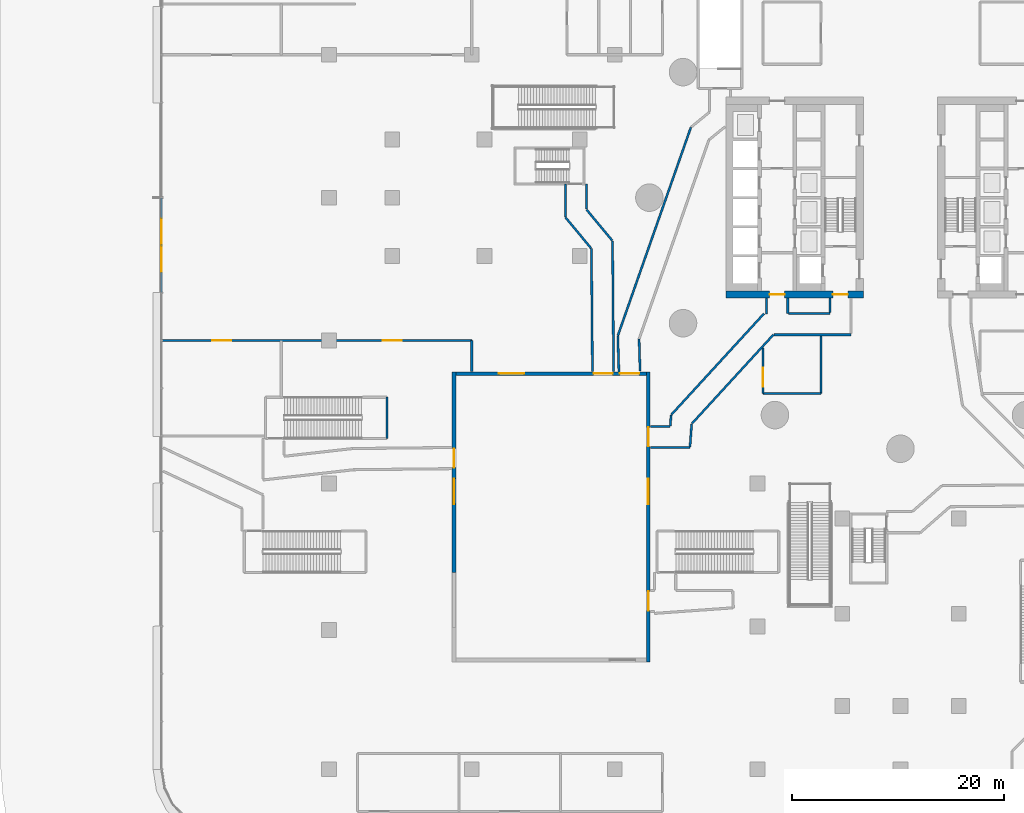
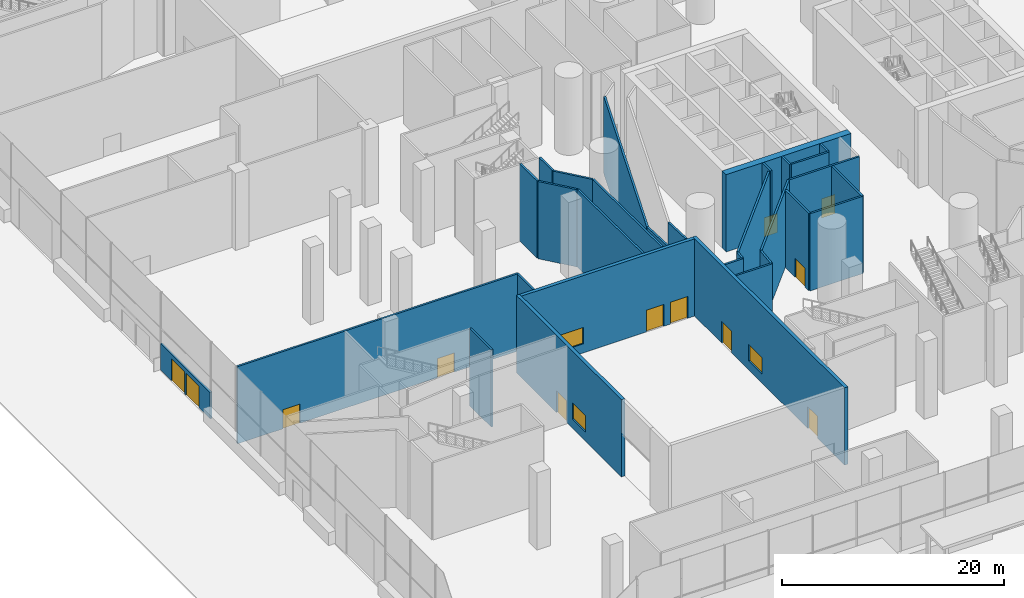
# One storey, part 22 of 54: 31 walls, 12 doors, 3 windows, 15 openings.
"""IFC4 building model written with IfcOpenShell, lengths in metres."""

from ifc_helpers import new_model, si_unit, direction, frame, frame_2d, origin, place, context, subcontext, project, spatial, rectangle, extrude, material, layer, layer_set, type_object, element, fill, save


model = new_model("IFC4")

# Units and contexts
model_context = context("Model", 3, precision=1e-05, world=origin(), true_north=direction((0.0, 1.0)))
body_context = subcontext(model_context, "Body", "Model", "MODEL_VIEW")
ifc_project = project(units=[si_unit("LENGTHUNIT", "METRE"), si_unit("AREAUNIT", "SQUARE_METRE"), si_unit("VOLUMEUNIT", "CUBIC_METRE"), si_unit("PLANEANGLEUNIT", "RADIAN"), si_unit("MASSUNIT", "GRAM", prefix="KILO")], contexts=[model_context])

# Site, building, storey
site_placement = place(None, origin())
site = spatial("IfcSite", under=ifc_project, at=site_placement, CompositionType="ELEMENT")
building_placement = place(site_placement, origin())
building = spatial("IfcBuilding", under=site, at=building_placement, Name="Tamarind Cross Interchange Tower", CompositionType="ELEMENT")
storey_placement = place(building_placement, origin())
storey = spatial("IfcBuildingStorey", under=building, at=storey_placement, Name="L00", CompositionType="ELEMENT", Elevation=0.0)

# Wall, openings, doors
ifc_material_1 = material(Name="Concrete C80", Category="concrete")
ifc_layer_1 = layer(ifc_material_1, 0.699951171875)
ifc_layer_set_1 = layer_set([ifc_layer_1], Name="Concrete C80")
wall_type_1 = type_object("IfcWallType", Name="Core wall 700 mm Concrete C80", PredefinedType="SHEAR", material=ifc_layer_set_1)
wall_1_placement = place(storey_placement, frame((-16.5, -9.14990234375, 0.0), z_axis=(0.0, 0.0, 1.0), x_axis=(1.0, 0.0, 0.0)))
wall_1 = element("IfcWall", 1, at=wall_1_placement, inside=storey, type_object=wall_type_1, Name="Core wall CWL-L00-W-S", PredefinedType="SHEAR", context=body_context, shape_type="SweptSolid", body=[
    extrude(rectangle(XDim=13.0, YDim=0.699951171875, at=frame_2d((6.5, 0.0))), origin(), (0.0, 0.0, 1.0), 8.5),
])
opening_1_placement = place(wall_1_placement, frame((4.14990234375, 0.0, 0.0)))
opening_1 = element("IfcOpeningElement", 2, at=opening_1_placement, cuts=wall_1, Name="Opening DCW1", PredefinedType="OPENING", context=body_context, shape_type="SweptSolid", body=[
    extrude(rectangle(XDim=1.39990234375, YDim=2.10009765625, at=frame_2d((0.699951171875, 1.050048828125))), frame((0.0, 0.35986328125, 0.0), z_axis=(0.0, -1.0, 0.0), x_axis=(1.0, 0.0, 0.0)), (0.0, 0.0, 1.0), 0.719970703125),
])
opening_2_placement = place(wall_1_placement, frame((10.125, 0.0, 0.0)))
opening_2 = element("IfcOpeningElement", 3, at=opening_2_placement, cuts=wall_1, Name="Opening DCWF", PredefinedType="OPENING", context=body_context, shape_type="SweptSolid", body=[
    extrude(rectangle(XDim=1.39990234375, YDim=2.10009765625, at=frame_2d((0.699951171875, 1.050048828125))), frame((0.0, 0.35986328125, 0.0), z_axis=(0.0, -1.0, 0.0), x_axis=(1.0, 0.0, 0.0)), (0.0, 0.0, 1.0), 0.719970703125),
])
ifc_material_2 = material(Name="Steel, fire-resisting", Category="steel")
door_type_1 = type_object("IfcDoorType", Name="Core fire door 1400 x 2100 FD90", OperationType="SINGLE_SWING_LEFT", PredefinedType="DOOR", material=ifc_material_2)
door_1_placement = place(opening_1_placement, origin())
door_1 = element("IfcDoor", 4, at=door_1_placement, inside=storey, type_object=door_type_1, Name="L00 lift lobby door", OperationType="SINGLE_SWING_LEFT", OverallHeight=2.10009765625, OverallWidth=1.39990234375, PredefinedType="DOOR", context=body_context, shape_type="SweptSolid", body=[
    extrude(rectangle(XDim=1.39990234375, YDim=2.10009765625, at=frame_2d((0.699951171875, 1.050048828125))), frame((0.0, 0.02490234375, 0.0), z_axis=(0.0, -1.0, 0.0), x_axis=(1.0, 0.0, 0.0)), (0.0, 0.0, 1.0), 0.050048828125),
])
fill(opening_1, door_1)
door_2_placement = place(opening_2_placement, origin())
door_2 = element("IfcDoor", 5, at=door_2_placement, inside=storey, type_object=door_type_1, Name="L00 firefighting lobby end door", OperationType="SINGLE_SWING_LEFT", OverallHeight=2.10009765625, OverallWidth=1.39990234375, PredefinedType="DOOR", context=body_context, shape_type="SweptSolid", body=[
    extrude(rectangle(XDim=1.39990234375, YDim=2.10009765625, at=frame_2d((0.699951171875, 1.050048828125))), frame((0.0, 0.02490234375, 0.0), z_axis=(0.0, -1.0, 0.0), x_axis=(1.0, 0.0, 0.0)), (0.0, 0.0, 1.0), 0.050048828125),
])
fill(opening_2, door_2)

# Wall, openings, door, window
ifc_material_3 = material(Name="Precast concrete C40", Category="concrete")
ifc_layer_2 = layer(ifc_material_3, 0.35009765625)
ifc_layer_set_2 = layer_set([ifc_layer_2], Name="Precast concrete C40")
wall_type_2 = type_object("IfcWallType", Name="Court portal pier wall", PredefinedType="SOLIDWALL", material=ifc_layer_set_2)
wall_2_placement = place(storey_placement, frame((-42.175048828125, -35.39990234375, 0.0), z_axis=(0.0, 0.0, 1.0), x_axis=(0.0, 1.0, 0.0)))
wall_2 = element("IfcWall", 6, at=wall_2_placement, inside=storey, type_object=wall_type_2, Name="CTW-L00-SWW01", PredefinedType="SOLIDWALL", context=body_context, shape_type="SweptSolid", body=[
    extrude(rectangle(XDim=18.949951171875, YDim=0.35009765625, at=frame_2d((9.47509765625, 0.0))), origin(), (0.0, 0.0, 1.0), 8.5),
])
opening_3_placement = place(wall_2_placement, frame((9.89990234375, 0.0, 0.0)))
opening_3 = element("IfcOpeningElement", 7, at=opening_3_placement, cuts=wall_2, Name="Opening D7", PredefinedType="OPENING", context=body_context, shape_type="SweptSolid", body=[
    extrude(rectangle(XDim=1.800048828125, YDim=2.39990234375, at=frame_2d((0.89990234375, 1.199951171875))), frame((0.0, 0.18505859375, 0.0), z_axis=(0.0, -1.0, 0.0), x_axis=(1.0, 0.0, 0.0)), (0.0, 0.0, 1.0), 0.3701171875),
])
opening_4_placement = place(wall_2_placement, frame((6.449951171875, 0.0, 1.0)))
opening_4 = element("IfcOpeningElement", 8, at=opening_4_placement, cuts=wall_2, Name="Opening W4", PredefinedType="OPENING", context=body_context, shape_type="SweptSolid", body=[
    extrude(rectangle(XDim=2.39990234375, YDim=1.800048828125, at=frame_2d((1.199951171875, 0.89990234375))), frame((0.0, 0.18505859375, 0.0), z_axis=(0.0, -1.0, 0.0), x_axis=(1.0, 0.0, 0.0)), (0.0, 0.0, 1.0), 0.3701171875),
])
ifc_material_4 = material(Name="Steel FD90", Category="steel")
door_type_2 = type_object("IfcDoorType", Name="Exit passage door", OperationType="DOUBLE_DOOR_SINGLE_SWING", PredefinedType="DOOR", material=ifc_material_4)
door_3_placement = place(opening_3_placement, frame((1.800048828125, 0.0, 0.0), z_axis=(0.0, 0.0, 1.0), x_axis=(-1.0, 0.0, 0.0)))
door_3 = element("IfcDoor", 9, at=door_3_placement, inside=storey, type_object=door_type_2, Name="Exit stair XS-P08 door to the SW fire court", OperationType="SINGLE_SWING_LEFT", OverallHeight=2.39990234375, OverallWidth=1.800048828125, PredefinedType="DOOR", context=body_context, shape_type="SweptSolid", body=[
    extrude(rectangle(XDim=1.800048828125, YDim=2.39990234375, at=frame_2d((0.89990234375, 1.199951171875))), frame((0.0, 0.02490234375, 0.0), z_axis=(0.0, -1.0, 0.0), x_axis=(1.0, 0.0, 0.0)), (0.0, 0.0, 1.0), 0.050048828125),
])
fill(opening_3, door_3)
ifc_material_5 = material(Name="Aluminium and toughened glass", Category="aluminium")
window_type = type_object("IfcWindowType", Name="Podium daylight window", PartitioningType="SINGLE_PANEL", PredefinedType="WINDOW", material=ifc_material_5)
window_1_placement = place(opening_4_placement, origin())
window_1 = element("IfcWindow", 10, at=window_1_placement, inside=storey, type_object=window_type, Name="CTX-L00-SWW-01-01", OverallHeight=1.800048828125, OverallWidth=2.39990234375, PartitioningType="SINGLE_PANEL", PredefinedType="WINDOW", context=body_context, shape_type="SweptSolid", body=[
    extrude(rectangle(XDim=2.39990234375, YDim=1.800048828125, at=frame_2d((1.199951171875, 0.89990234375))), frame((0.0, 0.030029296875, 0.0), z_axis=(0.0, -1.0, 0.0), x_axis=(1.0, 0.0, 0.0)), (0.0, 0.0, 1.0), 0.06005859375),
])
fill(opening_4, window_1)

# Wall, openings, doors
ifc_material_6 = material(Name="Masonry partition, fire-rated", Category="masonry")
ifc_layer_3 = layer(ifc_material_6, 0.199951171875)
ifc_layer_set_3 = layer_set([ifc_layer_3], Name="Masonry partition, fire-rated")
wall_type_3 = type_object("IfcWallType", Name="Fire partition 200 EI 120", PredefinedType="PARTITIONING", material=ifc_layer_set_3)
wall_3_placement = place(storey_placement, frame((-69.698974609375, -13.5, 0.0), z_axis=(0.0, 0.0, 1.0), x_axis=(1.0, 0.0, 0.0)))
wall_3 = element("IfcWall", 11, at=wall_3_placement, inside=storey, type_object=wall_type_3, Name="L00 partition 62", PredefinedType="PARTITIONING", context=body_context, shape_type="SweptSolid", body=[
    extrude(rectangle(XDim=29.198974609375, YDim=0.199951171875, at=frame_2d((14.599609375, 0.0))), origin(), (0.0, 0.0, 1.0), 8.5),
])
opening_5_placement = place(wall_3_placement, frame((20.77392578125, 0.0, 0.0)))
opening_5 = element("IfcOpeningElement", 12, at=opening_5_placement, cuts=wall_3, Name="Opening DL00-27", PredefinedType="OPENING", context=body_context, shape_type="SweptSolid", body=[
    extrude(rectangle(XDim=1.800048828125, YDim=2.10009765625, at=frame_2d((0.89990234375, 1.050048828125))), frame((0.0, 0.10986328125, 0.0), z_axis=(0.0, -1.0, 0.0), x_axis=(1.0, 0.0, 0.0)), (0.0, 0.0, 1.0), 0.219970703125),
])
opening_6_placement = place(wall_3_placement, frame((4.68896484375, 0.0, 0.0)))
opening_6 = element("IfcOpeningElement", 13, at=opening_6_placement, cuts=wall_3, Name="Opening DL00-28", PredefinedType="OPENING", context=body_context, shape_type="SweptSolid", body=[
    extrude(rectangle(XDim=1.800048828125, YDim=2.10009765625, at=frame_2d((0.89990234375, 1.050048828125))), frame((0.0, 0.10986328125, 0.0), z_axis=(0.0, -1.0, 0.0), x_axis=(1.0, 0.0, 0.0)), (0.0, 0.0, 1.0), 0.219970703125),
])
door_type_3 = type_object("IfcDoorType", Name="Podium door 1800 x 2100 FD60", OperationType="SINGLE_SWING_LEFT", PredefinedType="DOOR", material=ifc_material_2)
door_4_placement = place(opening_5_placement, origin())
door_4 = element("IfcDoor", 14, at=door_4_placement, inside=storey, type_object=door_type_3, Name="L00 door Newsagent 0012", OperationType="SINGLE_SWING_LEFT", OverallHeight=2.10009765625, OverallWidth=1.800048828125, PredefinedType="DOOR", context=body_context, shape_type="SweptSolid", body=[
    extrude(rectangle(XDim=1.800048828125, YDim=2.10009765625, at=frame_2d((0.89990234375, 1.050048828125))), frame((0.0, 0.02490234375, 0.0), z_axis=(0.0, -1.0, 0.0), x_axis=(1.0, 0.0, 0.0)), (0.0, 0.0, 1.0), 0.050048828125),
])
fill(opening_5, door_4)
door_5_placement = place(opening_6_placement, origin())
door_5 = element("IfcDoor", 15, at=door_5_placement, inside=storey, type_object=door_type_3, Name="L00 door Coffee Bar 0013", OperationType="SINGLE_SWING_RIGHT", OverallHeight=2.10009765625, OverallWidth=1.800048828125, PredefinedType="DOOR", context=body_context, shape_type="SweptSolid", body=[
    extrude(rectangle(XDim=1.800048828125, YDim=2.10009765625, at=frame_2d((0.89990234375, 1.050048828125))), frame((0.0, 0.02490234375, 0.0), z_axis=(0.0, -1.0, 0.0), x_axis=(1.0, 0.0, 0.0)), (0.0, 0.0, 1.0), 0.050048828125),
])
fill(opening_6, door_5)

# Wall
wall_4_placement = place(storey_placement, frame((-40.5, -16.419921875, 0.0), z_axis=(0.0, 0.0, 1.0), x_axis=(0.0, 1.0, 0.0)))
element("IfcWall", 16, at=wall_4_placement, inside=storey, type_object=wall_type_3, Name="L00 partition 68", PredefinedType="PARTITIONING", context=body_context, shape_type="SweptSolid", body=[
    extrude(rectangle(XDim=2.919921875, YDim=0.199951171875, at=frame_2d((1.4599609375, 0.0))), origin(), (0.0, 0.0, 1.0), 8.5),
])

# Wall, opening, door
ifc_layer_4 = layer(ifc_material_6, 0.199951171875)
ifc_layer_set_4 = layer_set([ifc_layer_4], Name="Masonry partition, fire-rated")
wall_type_4 = type_object("IfcWallType", Name="Fire partition 200 EI 180", PredefinedType="PARTITIONING", material=ifc_layer_set_4)
wall_5_placement = place(storey_placement, frame((-13.0, -18.5, 0.0), z_axis=(0.0, 0.0, 1.0), x_axis=(0.0, 1.0, 0.0)))
wall_5 = element("IfcWall", 17, at=wall_5_placement, inside=storey, type_object=wall_type_4, Name="L00 partition 108", PredefinedType="PARTITIONING", context=body_context, shape_type="SweptSolid", body=[
    extrude(rectangle(XDim=4.29248046875, YDim=0.199951171875, at=frame_2d((2.146240234375, 0.0))), origin(), (0.0, 0.0, 1.0), 8.5),
])
opening_7_placement = place(wall_5_placement, frame((0.651123046875, 0.0, 0.0)))
opening_7 = element("IfcOpeningElement", 18, at=opening_7_placement, cuts=wall_5, Name="Opening DL00-39", PredefinedType="OPENING", context=body_context, shape_type="SweptSolid", body=[
    extrude(rectangle(XDim=1.800048828125, YDim=2.10009765625, at=frame_2d((0.89990234375, 1.050048828125))), frame((0.0, 0.10986328125, 0.0), z_axis=(0.0, -1.0, 0.0), x_axis=(1.0, 0.0, 0.0)), (0.0, 0.0, 1.0), 0.219970703125),
])
door_6_placement = place(opening_7_placement, origin())
door_6 = element("IfcDoor", 19, at=door_6_placement, inside=storey, type_object=door_type_3, Name="L00 door Ticket Hall", OperationType="SINGLE_SWING_LEFT", OverallHeight=2.10009765625, OverallWidth=1.800048828125, PredefinedType="DOOR", context=body_context, shape_type="SweptSolid", body=[
    extrude(rectangle(XDim=1.800048828125, YDim=2.10009765625, at=frame_2d((0.89990234375, 1.050048828125))), frame((0.0, 0.02490234375, 0.0), z_axis=(0.0, -1.0, 0.0), x_axis=(1.0, 0.0, 0.0)), (0.0, 0.0, 1.0), 0.050048828125),
])
fill(opening_7, door_6)

# Walls
wall_6_placement = place(storey_placement, frame((-7.5, -18.5, 0.0), z_axis=(0.0, 0.0, 1.0), x_axis=(0.0, 1.0, 0.0)))
element("IfcWall", 20, at=wall_6_placement, inside=storey, type_object=wall_type_4, Name="L00 partition 109", PredefinedType="PARTITIONING", context=body_context, shape_type="SweptSolid", body=[
    extrude(rectangle(XDim=5.429931640625, YDim=0.199951171875, at=frame_2d((2.71484375, 0.0))), origin(), (0.0, 0.0, 1.0), 8.5),
])
ifc_layer_5 = layer(ifc_material_6, 0.199951171875)
ifc_layer_set_5 = layer_set([ifc_layer_5], Name="Masonry partition, fire-rated")
wall_type_5 = type_object("IfcWallType", Name="Fire partition 200 EI 90", PredefinedType="PARTITIONING", material=ifc_layer_set_5)
wall_7_placement = place(storey_placement, frame((-13.0, -18.5, 0.0), z_axis=(0.0, 0.0, 1.0), x_axis=(1.0, 0.0, 0.0)))
element("IfcWall", 21, at=wall_7_placement, inside=storey, type_object=wall_type_5, Name="L00 partition 107", PredefinedType="PARTITIONING", context=body_context, shape_type="SweptSolid", body=[
    extrude(rectangle(XDim=5.5, YDim=0.199951171875, at=frame_2d((2.75, 0.0))), origin(), (0.0, 0.0, 1.0), 8.5),
])

# Wall, openings, doors
ifc_layer_6 = layer(ifc_material_3, 0.35009765625)
ifc_layer_set_6 = layer_set([ifc_layer_6], Name="Precast concrete C40")
wall_type_6 = type_object("IfcWallType", Name="Podium facade wall", PredefinedType="SOLIDWALL", material=ifc_layer_set_6)
wall_8_placement = place(storey_placement, frame((-69.800048828125, -0.0400390625, 0.0), z_axis=(0.0, 0.0, 1.0), x_axis=(0.0, -1.0, 0.0)))
wall_8 = element("IfcWall", 22, at=wall_8_placement, inside=storey, type_object=wall_type_6, Name="EXW-L00-04-D12", PredefinedType="SOLIDWALL", context=body_context, shape_type="SweptSolid", body=[
    extrude(rectangle(XDim=8.917236328125, YDim=0.199951171875, at=frame_2d((4.45849609375, 0.0))), origin(), (0.0, 0.0, 1.0), 2.89990234375),
])
opening_8_placement = place(wall_8_placement, frame((1.958740234375, 0.0, 0.0)))
opening_8 = element("IfcOpeningElement", 23, at=opening_8_placement, cuts=wall_8, Name="Opening D1", PredefinedType="OPENING", context=body_context, shape_type="SweptSolid", body=[
    extrude(rectangle(XDim=2.39990234375, YDim=2.39990234375, at=frame_2d((1.199951171875, 1.199951171875))), frame((0.0, 0.10986328125, 0.0), z_axis=(0.0, -1.0, 0.0), x_axis=(1.0, 0.0, 0.0)), (0.0, 0.0, 1.0), 0.219970703125),
])
opening_9_placement = place(wall_8_placement, frame((4.55859375, 0.0, 0.0)))
opening_9 = element("IfcOpeningElement", 24, at=opening_9_placement, cuts=wall_8, Name="Opening D1", PredefinedType="OPENING", context=body_context, shape_type="SweptSolid", body=[
    extrude(rectangle(XDim=2.39990234375, YDim=2.39990234375, at=frame_2d((1.199951171875, 1.199951171875))), frame((0.0, 0.10986328125, 0.0), z_axis=(0.0, -1.0, 0.0), x_axis=(1.0, 0.0, 0.0)), (0.0, 0.0, 1.0), 0.219970703125),
])
ifc_material_7 = material(Name="Toughened glass and aluminium", Category="aluminium")
door_type_4 = type_object("IfcDoorType", Name="Station entrance door", OperationType="DOUBLE_DOOR_DOUBLE_SWING", PredefinedType="DOOR", material=ifc_material_7)
door_7_placement = place(opening_8_placement, frame((2.39990234375, 0.0, 0.0), z_axis=(0.0, 0.0, 1.0), x_axis=(-1.0, 0.0, 0.0)))
door_7 = element("IfcDoor", 25, at=door_7_placement, inside=storey, type_object=door_type_4, Name="DOR-L00-04-12A", OperationType="DOUBLE_DOOR_DOUBLE_SWING", OverallHeight=2.39990234375, OverallWidth=2.39990234375, PredefinedType="DOOR", context=body_context, shape_type="SweptSolid", body=[
    extrude(rectangle(XDim=2.39990234375, YDim=2.39990234375, at=frame_2d((1.199951171875, 1.199951171875))), frame((0.0, 0.02490234375, 0.0), z_axis=(0.0, -1.0, 0.0), x_axis=(1.0, 0.0, 0.0)), (0.0, 0.0, 1.0), 0.050048828125),
])
fill(opening_8, door_7)
door_8_placement = place(opening_9_placement, frame((2.39990234375, 0.0, 0.0), z_axis=(0.0, 0.0, 1.0), x_axis=(-1.0, 0.0, 0.0)))
door_8 = element("IfcDoor", 26, at=door_8_placement, inside=storey, type_object=door_type_4, Name="DOR-L00-04-12B", OperationType="DOUBLE_DOOR_DOUBLE_SWING", OverallHeight=2.39990234375, OverallWidth=2.39990234375, PredefinedType="DOOR", context=body_context, shape_type="SweptSolid", body=[
    extrude(rectangle(XDim=2.39990234375, YDim=2.39990234375, at=frame_2d((1.199951171875, 1.199951171875))), frame((0.0, 0.02490234375, 0.0), z_axis=(0.0, -1.0, 0.0), x_axis=(1.0, 0.0, 0.0)), (0.0, 0.0, 1.0), 0.050048828125),
])
fill(opening_9, door_8)

# Wall, openings, doors, window
wall_9_placement = place(storey_placement, frame((-42.0, -16.625, 0.0), z_axis=(0.0, 0.0, 1.0), x_axis=(1.0, 0.0, 0.0)))
wall_9 = element("IfcWall", 27, at=wall_9_placement, inside=storey, type_object=wall_type_6, Name="CTW-L00-SWN00", PredefinedType="SOLIDWALL", context=body_context, shape_type="SweptSolid", body=[
    extrude(rectangle(XDim=18.0, YDim=0.35009765625, at=frame_2d((9.0, 0.0))), origin(), (0.0, 0.0, 1.0), 8.5),
])
opening_10_placement = place(wall_9_placement, frame((13.0, 0.0, 0.0)))
opening_10 = element("IfcOpeningElement", 28, at=opening_10_placement, cuts=wall_9, Name="Opening D7", PredefinedType="OPENING", context=body_context, shape_type="SweptSolid", body=[
    extrude(rectangle(XDim=1.800048828125, YDim=2.39990234375, at=frame_2d((0.89990234375, 1.199951171875))), frame((0.0, 0.18505859375, 0.0), z_axis=(0.0, -1.0, 0.0), x_axis=(1.0, 0.0, 0.0)), (0.0, 0.0, 1.0), 0.3701171875),
])
opening_11_placement = place(wall_9_placement, frame((15.5, 0.0, 0.0)))
opening_11 = element("IfcOpeningElement", 29, at=opening_11_placement, cuts=wall_9, Name="Opening D7", PredefinedType="OPENING", context=body_context, shape_type="SweptSolid", body=[
    extrude(rectangle(XDim=1.800048828125, YDim=2.39990234375, at=frame_2d((0.89990234375, 1.199951171875))), frame((0.0, 0.18505859375, 0.0), z_axis=(0.0, -1.0, 0.0), x_axis=(1.0, 0.0, 0.0)), (0.0, 0.0, 1.0), 0.3701171875),
])
opening_12_placement = place(wall_9_placement, frame((4.050048828125, 0.0, 1.0)))
opening_12 = element("IfcOpeningElement", 30, at=opening_12_placement, cuts=wall_9, Name="Opening W4", PredefinedType="OPENING", context=body_context, shape_type="SweptSolid", body=[
    extrude(rectangle(XDim=2.39990234375, YDim=1.800048828125, at=frame_2d((1.199951171875, 0.89990234375))), frame((0.0, 0.18505859375, 0.0), z_axis=(0.0, -1.0, 0.0), x_axis=(1.0, 0.0, 0.0)), (0.0, 0.0, 1.0), 0.3701171875),
])
door_9_placement = place(opening_10_placement, frame((1.800048828125, 0.0, 0.0), z_axis=(0.0, 0.0, 1.0), x_axis=(-1.0, 0.0, 0.0)))
door_9 = element("IfcDoor", 31, at=door_9_placement, inside=storey, type_object=door_type_2, Name="Exit stair ST5 door to the SW fire court", OperationType="SINGLE_SWING_LEFT", OverallHeight=2.39990234375, OverallWidth=1.800048828125, PredefinedType="DOOR", context=body_context, shape_type="SweptSolid", body=[
    extrude(rectangle(XDim=1.800048828125, YDim=2.39990234375, at=frame_2d((0.89990234375, 1.199951171875))), frame((0.0, 0.02490234375, 0.0), z_axis=(0.0, -1.0, 0.0), x_axis=(1.0, 0.0, 0.0)), (0.0, 0.0, 1.0), 0.050048828125),
])
fill(opening_10, door_9)
door_10_placement = place(opening_11_placement, frame((1.800048828125, 0.0, 0.0), z_axis=(0.0, 0.0, 1.0), x_axis=(-1.0, 0.0, 0.0)))
door_10 = element("IfcDoor", 32, at=door_10_placement, inside=storey, type_object=door_type_2, Name="Exit stair XS-W door to the SW fire court", OperationType="SINGLE_SWING_LEFT", OverallHeight=2.39990234375, OverallWidth=1.800048828125, PredefinedType="DOOR", context=body_context, shape_type="SweptSolid", body=[
    extrude(rectangle(XDim=1.800048828125, YDim=2.39990234375, at=frame_2d((0.89990234375, 1.199951171875))), frame((0.0, 0.02490234375, 0.0), z_axis=(0.0, -1.0, 0.0), x_axis=(1.0, 0.0, 0.0)), (0.0, 0.0, 1.0), 0.050048828125),
])
fill(opening_11, door_10)
window_2_placement = place(opening_12_placement, origin())
window_2 = element("IfcWindow", 33, at=window_2_placement, inside=storey, type_object=window_type, Name="CTX-L00-SWN-00-00", OverallHeight=1.800048828125, OverallWidth=2.39990234375, PartitioningType="SINGLE_PANEL", PredefinedType="WINDOW", context=body_context, shape_type="SweptSolid", body=[
    extrude(rectangle(XDim=2.39990234375, YDim=1.800048828125, at=frame_2d((1.199951171875, 0.89990234375))), frame((0.0, 0.030029296875, 0.0), z_axis=(0.0, -1.0, 0.0), x_axis=(1.0, 0.0, 0.0)), (0.0, 0.0, 1.0), 0.06005859375),
])
fill(opening_12, window_2)

wall_10_placement = place(storey_placement, frame((-23.824951171875, -43.85009765625, 0.0), z_axis=(0.0, 0.0, 1.0), x_axis=(0.0, 1.0, 0.0)))
wall_10 = element("IfcWall", 34, at=wall_10_placement, inside=storey, type_object=wall_type_6, Name="CTW-L00-SWE00", PredefinedType="SOLIDWALL", context=body_context, shape_type="SweptSolid", body=[
    extrude(rectangle(XDim=27.400146484375, YDim=0.35009765625, at=frame_2d((13.7001953125, 0.0))), origin(), (0.0, 0.0, 1.0), 8.5),
])
opening_13_placement = place(wall_10_placement, frame((20.35009765625, 0.0, 0.0)))
opening_13 = element("IfcOpeningElement", 35, at=opening_13_placement, cuts=wall_10, Name="Opening D7", PredefinedType="OPENING", context=body_context, shape_type="SweptSolid", body=[
    extrude(rectangle(XDim=1.800048828125, YDim=2.39990234375, at=frame_2d((0.89990234375, 1.199951171875))), frame((0.0, 0.18505859375, 0.0), z_axis=(0.0, -1.0, 0.0), x_axis=(1.0, 0.0, 0.0)), (0.0, 0.0, 1.0), 0.3701171875),
])
opening_14_placement = place(wall_10_placement, frame((4.85009765625, 0.0, 0.0)))
opening_14 = element("IfcOpeningElement", 36, at=opening_14_placement, cuts=wall_10, Name="Opening D7", PredefinedType="OPENING", context=body_context, shape_type="SweptSolid", body=[
    extrude(rectangle(XDim=1.800048828125, YDim=2.39990234375, at=frame_2d((0.89990234375, 1.199951171875))), frame((0.0, 0.18505859375, 0.0), z_axis=(0.0, -1.0, 0.0), x_axis=(1.0, 0.0, 0.0)), (0.0, 0.0, 1.0), 0.3701171875),
])
opening_15_placement = place(wall_10_placement, frame((14.89990234375, 0.0, 1.0)))
opening_15 = element("IfcOpeningElement", 37, at=opening_15_placement, cuts=wall_10, Name="Opening W4", PredefinedType="OPENING", context=body_context, shape_type="SweptSolid", body=[
    extrude(rectangle(XDim=2.39990234375, YDim=1.800048828125, at=frame_2d((1.199951171875, 0.89990234375))), frame((0.0, 0.18505859375, 0.0), z_axis=(0.0, -1.0, 0.0), x_axis=(1.0, 0.0, 0.0)), (0.0, 0.0, 1.0), 0.3701171875),
])
door_11_placement = place(opening_13_placement, origin())
door_11 = element("IfcDoor", 38, at=door_11_placement, inside=storey, type_object=door_type_2, Name="Exit stair ST1 door to the SW fire court", OperationType="SINGLE_SWING_LEFT", OverallHeight=2.39990234375, OverallWidth=1.800048828125, PredefinedType="DOOR", context=body_context, shape_type="SweptSolid", body=[
    extrude(rectangle(XDim=1.800048828125, YDim=2.39990234375, at=frame_2d((0.89990234375, 1.199951171875))), frame((0.0, 0.02490234375, 0.0), z_axis=(0.0, -1.0, 0.0), x_axis=(1.0, 0.0, 0.0)), (0.0, 0.0, 1.0), 0.050048828125),
])
fill(opening_13, door_11)
door_12_placement = place(opening_14_placement, origin())
door_12 = element("IfcDoor", 39, at=door_12_placement, inside=storey, type_object=door_type_2, Name="Exit stair XS-P09 door to the SW fire court", OperationType="SINGLE_SWING_LEFT", OverallHeight=2.39990234375, OverallWidth=1.800048828125, PredefinedType="DOOR", context=body_context, shape_type="SweptSolid", body=[
    extrude(rectangle(XDim=1.800048828125, YDim=2.39990234375, at=frame_2d((0.89990234375, 1.199951171875))), frame((0.0, 0.02490234375, 0.0), z_axis=(0.0, -1.0, 0.0), x_axis=(1.0, 0.0, 0.0)), (0.0, 0.0, 1.0), 0.050048828125),
])
fill(opening_14, door_12)
window_3_placement = place(opening_15_placement, origin())
window_3 = element("IfcWindow", 40, at=window_3_placement, inside=storey, type_object=window_type, Name="CTX-L00-SWE-01-00", OverallHeight=1.800048828125, OverallWidth=2.39990234375, PartitioningType="SINGLE_PANEL", PredefinedType="WINDOW", context=body_context, shape_type="SweptSolid", body=[
    extrude(rectangle(XDim=2.39990234375, YDim=1.800048828125, at=frame_2d((1.199951171875, 0.89990234375))), frame((0.0, 0.030029296875, 0.0), z_axis=(0.0, -1.0, 0.0), x_axis=(1.0, 0.0, 0.0)), (0.0, 0.0, 1.0), 0.06005859375),
])
fill(opening_15, window_3)

# Walls
ifc_material_8 = material(Name="Concrete C40", Category="concrete")
ifc_layer_7 = layer(ifc_material_8, 0.199951171875)
ifc_layer_set_7 = layer_set([ifc_layer_7], Name="Concrete C40")
wall_type_7 = type_object("IfcWallType", Name="Protected passage wall 200 EI 180", PredefinedType="PARTITIONING", material=ifc_layer_set_7)
wall_11_placement = place(storey_placement, frame((-29.64990234375, 1.300048828125, 0.0), z_axis=(0.0, 0.0, 1.0), x_axis=(0.0, -1.0, 0.0)))
element("IfcWall", 41, at=wall_11_placement, inside=storey, type_object=wall_type_7, Name="L00 passage wall 132", PredefinedType="PARTITIONING", context=body_context, shape_type="SweptSolid", body=[
    extrude(rectangle(XDim=2.388916015625, YDim=0.199951171875, at=frame_2d((1.1943359375, 0.0))), origin(), (0.0, 0.0, 1.0), 8.5),
])
wall_12_placement = place(storey_placement, frame((-29.64990234375, -1.138916015625, 0.0), z_axis=(0.0, 0.0, 1.0), x_axis=(0.638893876697, -0.769294881251, 0.0)))
element("IfcWall", 42, at=wall_12_placement, inside=storey, type_object=wall_type_7, Name="L00 passage wall 133", PredefinedType="PARTITIONING", context=body_context, shape_type="SweptSolid", body=[
    extrude(rectangle(XDim=3.780029296875, YDim=0.199951171875, at=frame_2d((1.89013671875, 0.0))), origin(), (0.0, 0.0, 1.0), 8.5),
])
wall_13_placement = place(storey_placement, frame((-27.202880859375, -4.085205078125, 0.0), z_axis=(0.0, 0.0, 1.0), x_axis=(0.008338160089, -0.999965236939, 0.0)))
element("IfcWall", 43, at=wall_13_placement, inside=storey, type_object=wall_type_7, Name="L00 passage wall 134", PredefinedType="PARTITIONING", context=body_context, shape_type="SweptSolid", body=[
    extrude(rectangle(XDim=12.326904296875, YDim=0.199951171875, at=frame_2d((6.16357421875, 0.0))), origin(), (0.0, 0.0, 1.0), 8.5),
])
wall_14_placement = place(storey_placement, frame((-31.64990234375, 1.300048828125, 0.0), z_axis=(0.0, 0.0, 1.0), x_axis=(0.0, -1.0, 0.0)))
element("IfcWall", 44, at=wall_14_placement, inside=storey, type_object=wall_type_7, Name="L00 passage wall 135", PredefinedType="PARTITIONING", context=body_context, shape_type="SweptSolid", body=[
    extrude(rectangle(XDim=3.111083984375, YDim=0.199951171875, at=frame_2d((1.5556640625, 0.0))), origin(), (0.0, 0.0, 1.0), 8.5),
])
wall_15_placement = place(storey_placement, frame((-31.64990234375, -1.861083984375, 0.0), z_axis=(0.0, 0.0, 1.0), x_axis=(0.638890662578, -0.769297550543, 0.0)))
element("IfcWall", 45, at=wall_15_placement, inside=storey, type_object=wall_type_7, Name="L00 passage wall 136", PredefinedType="PARTITIONING", context=body_context, shape_type="SweptSolid", body=[
    extrude(rectangle(XDim=3.789306640625, YDim=0.199951171875, at=frame_2d((1.89453125, 0.0))), origin(), (0.0, 0.0, 1.0), 8.5),
])
wall_16_placement = place(storey_placement, frame((-29.197021484375, -4.814697265625, 0.0), z_axis=(0.0, 0.0, 1.0), x_axis=(0.008345305348, -0.999965177333, 0.0)))
element("IfcWall", 46, at=wall_16_placement, inside=storey, type_object=wall_type_7, Name="L00 passage wall 137", PredefinedType="PARTITIONING", context=body_context, shape_type="SweptSolid", body=[
    extrude(rectangle(XDim=11.6142578125, YDim=0.199951171875, at=frame_2d((5.80712890625, 0.0))), origin(), (0.0, 0.0, 1.0), 8.5),
])
wall_17_placement = place(storey_placement, frame((-4.675048828125, -12.949951171875, 0.0), z_axis=(0.0, 0.0, 1.0), x_axis=(-1.0, 0.0, 0.0)))
element("IfcWall", 47, at=wall_17_placement, inside=storey, type_object=wall_type_7, Name="L00 passage wall 145", PredefinedType="PARTITIONING", context=body_context, shape_type="SweptSolid", body=[
    extrude(rectangle(XDim=7.28515625, YDim=0.199951171875, at=frame_2d((3.642578125, 0.0))), origin(), (0.0, 0.0, 1.0), 8.5),
])
wall_18_placement = place(storey_placement, frame((-12.010009765625, -12.949951171875, 0.0), z_axis=(0.0, 0.0, 1.0), x_axis=(-0.675727545108, -0.737151466648, 0.0)))
element("IfcWall", 48, at=wall_18_placement, inside=storey, type_object=wall_type_7, Name="L00 passage wall 146", PredefinedType="PARTITIONING", context=body_context, shape_type="SweptSolid", body=[
    extrude(rectangle(XDim=11.37158203125, YDim=0.199951171875, at=frame_2d((5.685791015625, 0.0))), origin(), (0.0, 0.0, 1.0), 8.5),
])
wall_19_placement = place(storey_placement, frame((-19.727783203125, -21.369384765625, 0.0), z_axis=(0.0, 0.0, 1.0), x_axis=(-0.072580125399, -0.997362584719, 0.0)))
element("IfcWall", 49, at=wall_19_placement, inside=storey, type_object=wall_type_7, Name="L00 passage wall 147", PredefinedType="PARTITIONING", context=body_context, shape_type="SweptSolid", body=[
    extrude(rectangle(XDim=2.1865234375, YDim=0.199951171875, at=frame_2d((1.09326171875, 0.0))), origin(), (0.0, 0.0, 1.0), 8.5),
])
wall_20_placement = place(storey_placement, frame((-19.89013671875, -23.60009765625, 0.0), z_axis=(0.0, 0.0, 1.0), x_axis=(-1.0, 0.0, 0.0)))
element("IfcWall", 50, at=wall_20_placement, inside=storey, type_object=wall_type_7, Name="L00 passage wall 148", PredefinedType="PARTITIONING", context=body_context, shape_type="SweptSolid", body=[
    extrude(rectangle(XDim=3.72998046875, YDim=0.199951171875, at=frame_2d((1.864990234375, 0.0))), origin(), (0.0, 0.0, 1.0), 8.5),
])
wall_21_placement = place(storey_placement, frame((-6.675048828125, -9.5, 0.0), z_axis=(0.0, 0.0, 1.0), x_axis=(0.0, -1.0, 0.0)))
element("IfcWall", 51, at=wall_21_placement, inside=storey, type_object=wall_type_7, Name="L00 passage wall 149", PredefinedType="PARTITIONING", context=body_context, shape_type="SweptSolid", body=[
    extrude(rectangle(XDim=1.35009765625, YDim=0.199951171875, at=frame_2d((0.675048828125, 0.0))), origin(), (0.0, 0.0, 1.0), 8.5),
])
wall_22_placement = place(storey_placement, frame((-6.675048828125, -10.949951171875, 0.0), z_axis=(0.0, 0.0, 1.0), x_axis=(-1.0, 0.0, 0.0)))
element("IfcWall", 52, at=wall_22_placement, inside=storey, type_object=wall_type_7, Name="L00 passage wall 150", PredefinedType="PARTITIONING", context=body_context, shape_type="SweptSolid", body=[
    extrude(rectangle(XDim=3.925048828125, YDim=0.199951171875, at=frame_2d((1.96240234375, 0.0))), origin(), (0.0, 0.0, 1.0), 8.5),
])
wall_23_placement = place(storey_placement, frame((-12.889892578125, -10.949951171875, 0.0), z_axis=(0.0, 0.0, 1.0), x_axis=(-0.675720358886, -0.737158054007, 0.0)))
element("IfcWall", 53, at=wall_23_placement, inside=storey, type_object=wall_type_7, Name="L00 passage wall 151", PredefinedType="PARTITIONING", context=body_context, shape_type="SweptSolid", body=[
    extrude(rectangle(XDim=12.946533203125, YDim=0.199951171875, at=frame_2d((6.47314453125, 0.0))), origin(), (0.0, 0.0, 1.0), 8.5),
])
wall_24_placement = place(storey_placement, frame((-21.672119140625, -20.530517578125, 0.0), z_axis=(0.0, 0.0, 1.0), x_axis=(-0.072604808335, -0.997360788184, 0.0)))
element("IfcWall", 54, at=wall_24_placement, inside=storey, type_object=wall_type_7, Name="L00 passage wall 152", PredefinedType="PARTITIONING", context=body_context, shape_type="SweptSolid", body=[
    extrude(rectangle(XDim=1.022216796875, YDim=0.199951171875, at=frame_2d((0.51123046875, 0.0))), origin(), (0.0, 0.0, 1.0), 8.5),
])
wall_25_placement = place(storey_placement, frame((-21.75, -21.60009765625, 0.0), z_axis=(0.0, 0.0, 1.0), x_axis=(-1.0, 0.0, 0.0)))
element("IfcWall", 55, at=wall_25_placement, inside=storey, type_object=wall_type_7, Name="L00 passage wall 153", PredefinedType="PARTITIONING", context=body_context, shape_type="SweptSolid", body=[
    extrude(rectangle(XDim=1.8701171875, YDim=0.199951171875, at=frame_2d((0.93505859375, 0.0))), origin(), (0.0, 0.0, 1.0), 8.5),
])
wall_26_placement = place(storey_placement, frame((-24.694580078125, -13.35498046875, 0.0), z_axis=(0.0, 0.0, 1.0), x_axis=(0.030966071292, -0.999520436224, 0.0)))
element("IfcWall", 56, at=wall_26_placement, inside=storey, type_object=wall_type_7, Name="L00 passage wall 236", PredefinedType="PARTITIONING", context=body_context, shape_type="SweptSolid", body=[
    extrude(rectangle(XDim=3.035400390625, YDim=0.199951171875, at=frame_2d((1.517578125, 0.0))), origin(), (0.0, 0.0, 1.0), 8.5),
])
wall_27_placement = place(storey_placement, frame((-19.80029296875, 6.646728515625, 0.0), z_axis=(0.0, 0.0, 1.0), x_axis=(-0.330903303789, -0.943664666893, 0.0)))
element("IfcWall", 57, at=wall_27_placement, inside=storey, type_object=wall_type_7, Name="L00 passage wall 239", PredefinedType="PARTITIONING", context=body_context, shape_type="SweptSolid", body=[
    extrude(rectangle(XDim=20.8671875, YDim=0.199951171875, at=frame_2d((10.43359375, 0.0))), origin(), (0.0, 0.0, 1.0), 8.5),
])
wall_28_placement = place(storey_placement, frame((-26.705322265625, -13.044921875, 0.0), z_axis=(0.0, 0.0, 1.0), x_axis=(0.031031151855, -0.999518417847, 0.0)))
element("IfcWall", 58, at=wall_28_placement, inside=storey, type_object=wall_type_7, Name="L00 passage wall 240", PredefinedType="PARTITIONING", context=body_context, shape_type="SweptSolid", body=[
    extrude(rectangle(XDim=3.40673828125, YDim=0.199951171875, at=frame_2d((1.703369140625, 0.0))), origin(), (0.0, 0.0, 1.0), 8.5),
])
wall_29_placement = place(storey_placement, frame((-10.64990234375, -9.5, 0.0), z_axis=(0.0, 0.0, 1.0), x_axis=(0.0, -1.0, 0.0)))
element("IfcWall", 59, at=wall_29_placement, inside=storey, type_object=wall_type_7, Name="L00 passage wall 241", PredefinedType="PARTITIONING", context=body_context, shape_type="SweptSolid", body=[
    extrude(rectangle(XDim=1.449951171875, YDim=0.199951171875, at=frame_2d((0.72509765625, 0.0))), origin(), (0.0, 0.0, 1.0), 8.5),
])
wall_30_placement = place(storey_placement, frame((-12.64990234375, -9.5, 0.0), z_axis=(0.0, 0.0, 1.0), x_axis=(0.0, -1.0, 0.0)))
element("IfcWall", 60, at=wall_30_placement, inside=storey, type_object=wall_type_7, Name="L00 passage wall 242", PredefinedType="PARTITIONING", context=body_context, shape_type="SweptSolid", body=[
    extrude(rectangle(XDim=1.470458984375, YDim=0.199951171875, at=frame_2d((0.7353515625, 0.0))), origin(), (0.0, 0.0, 1.0), 8.5),
])
ifc_layer_8 = layer(ifc_material_8, 0.199951171875)
ifc_layer_set_8 = layer_set([ifc_layer_8], Name="Concrete C40")
wall_type_8 = type_object("IfcWallType", Name="Stair shaft wall 200 EI 180", PredefinedType="PARTITIONING", material=ifc_layer_set_8)
wall_31_placement = place(storey_placement, frame((-48.5, -22.75, 0.0), z_axis=(0.0, 0.0, 1.0), x_axis=(0.0, 1.0, 0.0)))
element("IfcWall", 61, at=wall_31_placement, inside=storey, type_object=wall_type_8, Name="L00 stair shaft wall 10", PredefinedType="PARTITIONING", context=body_context, shape_type="SweptSolid", body=[
    extrude(rectangle(XDim=3.89990234375, YDim=0.199951171875, at=frame_2d((1.949951171875, 0.0))), origin(), (0.0, 0.0, 1.0), 8.5),
])

save(model, "model.ifc")
